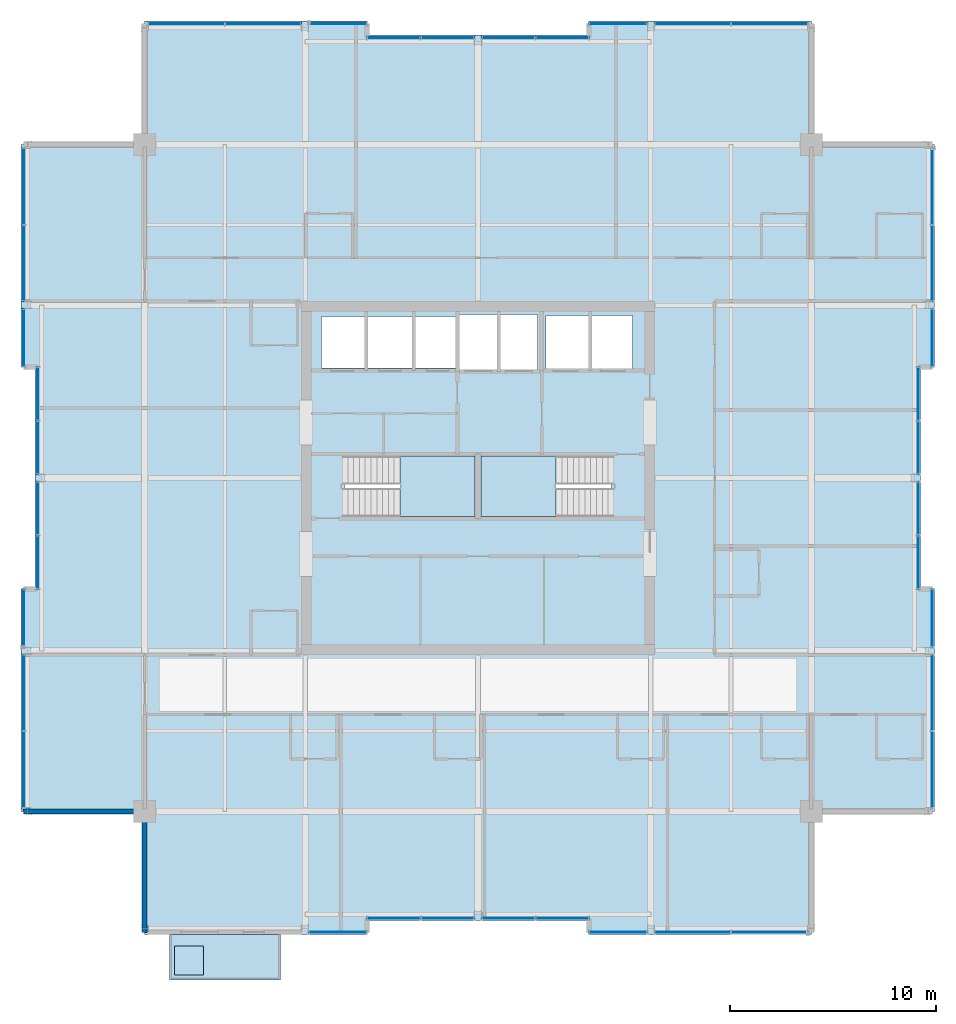
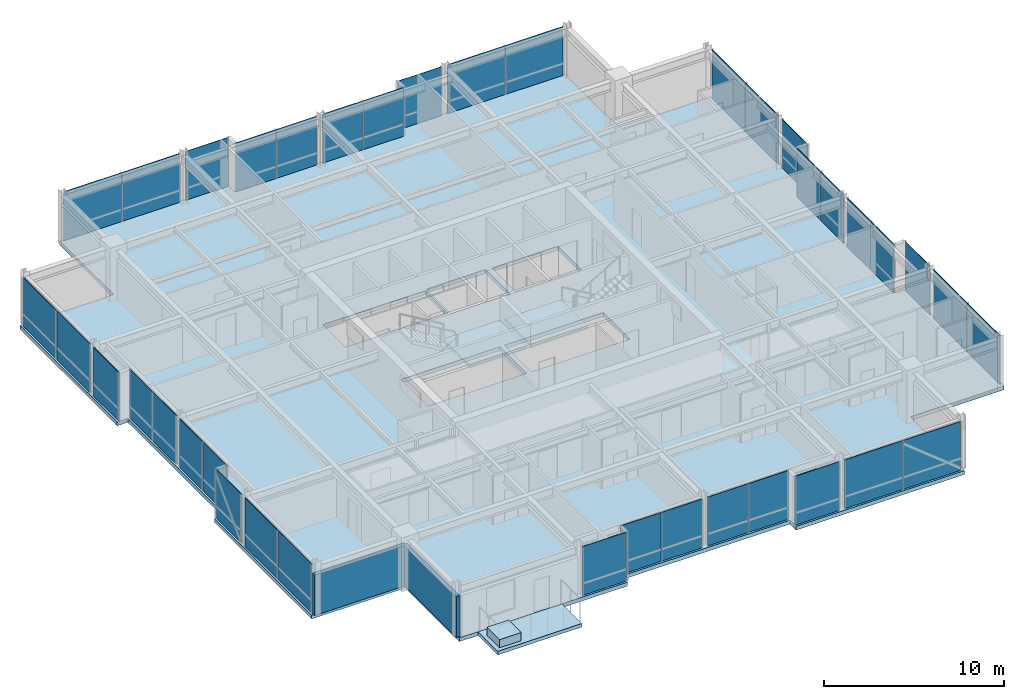
# One storey, part 27 of 34: 38 plates, 5 slabs, 2 walls, 25 elements without a shape of their own.
"""IFC4 building model written with IfcOpenShell, lengths in metres."""

from ifc_helpers import new_model, si_unit, direction, frame, frame_2d, origin, origin_2d, place, context, subcontext, project, spatial, polyline, rectangle, outline, extrude, material, layer, layer_set, type_object, element, aggregate, save


model = new_model("IFC4")

# Units and contexts
model_context = context("Model", 3, precision=1e-05, world=origin(), true_north=direction((0.0, 1.0)))
body_context = subcontext(model_context, "Body", "Model", "MODEL_VIEW")
ifc_project = project(units=[si_unit("LENGTHUNIT", "METRE"), si_unit("AREAUNIT", "SQUARE_METRE"), si_unit("VOLUMEUNIT", "CUBIC_METRE"), si_unit("PLANEANGLEUNIT", "RADIAN"), si_unit("MASSUNIT", "GRAM", prefix="KILO")], contexts=[model_context])

# Site, building, storey
site_placement = place(None, origin())
site = spatial("IfcSite", under=ifc_project, at=site_placement, CompositionType="ELEMENT")
building_placement = place(site_placement, origin())
building = spatial("IfcBuilding", under=site, at=building_placement, Name="Drelvath Grand Hotel", CompositionType="ELEMENT")
storey_placement = place(building_placement, frame((0.0, 0.0, 290.550048828125)))
storey = spatial("IfcBuildingStorey", under=building, at=storey_placement, Name="L76", CompositionType="ELEMENT", Elevation=290.550048828125)

# Slabs
ifc_material_1 = material(Name="Concrete f'c 40 MPa", Category="concrete")
ifc_layer_1 = layer(ifc_material_1, 0.239990234375)
ifc_layer_set_1 = layer_set([ifc_layer_1], Name="Concrete f'c 40 MPa")
slab_type_1 = type_object("IfcSlabType", Name="Cantilevered Tree Balcony Slab 240", PredefinedType="FLOOR", material=ifc_layer_set_1)
slab_1_placement = place(storey_placement, frame((0.0, 0.0, -0.239990234375)))
element("IfcSlab", 1, at=slab_1_placement, inside=storey, type_object=slab_type_1, Name="L76 Cantilevered Tree Balcony Slab 1", PredefinedType="FLOOR", context=body_context, shape_type="SweptSolid", body=[
    extrude(outline(polyline([(-15.0, 2.60009765625), (-9.60009765625, 2.60009765625), (-9.60009765625, 4.800048828125), (-15.0, 4.800048828125), (-15.0, 2.60009765625)])), origin(), (0.0, 0.0, 1.0), 0.239990234375),
])
ifc_layer_2 = layer(ifc_material_1, 0.260009765625)
ifc_layer_set_2 = layer_set([ifc_layer_2], Name="Concrete f'c 40 MPa")
slab_type_2 = type_object("IfcSlabType", Name="Composite RC Floor Slab 260", PredefinedType="FLOOR", material=ifc_layer_set_2)
slab_2_placement = place(storey_placement, frame((0.0, 0.0, -0.260009765625)))
element("IfcSlab", 2, at=slab_2_placement, inside=storey, type_object=slab_type_2, Name="L76 Structural Floor Slab", PredefinedType="FLOOR", context=body_context, shape_type="SweptSolid", body=[
    extrude(outline(polyline([(-16.199951171875, 4.800048828125), (-5.39990234375, 4.800048828125), (-5.39990234375, 5.47998046875), (5.39990234375, 5.47998046875), (5.39990234375, 4.800048828125), (16.199951171875, 4.800048828125), (16.199951171875, 10.800048828125), (22.199951171875, 10.800048828125), (22.199951171875, 21.60009765625), (21.52001953125, 21.60009765625), (21.52001953125, 32.39990234375), (22.199951171875, 32.39990234375), (22.199951171875, 43.199951171875), (16.199951171875, 43.199951171875), (16.199951171875, 49.199951171875), (5.39990234375, 49.199951171875), (5.39990234375, 48.52001953125), (-5.39990234375, 48.52001953125), (-5.39990234375, 49.199951171875), (-16.199951171875, 49.199951171875), (-16.199951171875, 43.199951171875), (-22.199951171875, 43.199951171875), (-22.199951171875, 32.39990234375), (-21.52001953125, 32.39990234375), (-21.52001953125, 21.60009765625), (-22.199951171875, 21.60009765625), (-22.199951171875, 10.800048828125), (-16.199951171875, 10.800048828125), (-16.199951171875, 4.800048828125)]), holes=[polyline([(-6.47998046875, 25.1201171875), (-6.47998046875, 28.080078125), (-0.14990234375, 28.080078125), (-0.14990234375, 25.1201171875), (-6.47998046875, 25.1201171875)]), polyline([(0.14990234375, 25.1201171875), (0.14990234375, 28.080078125), (6.47998046875, 28.080078125), (6.47998046875, 25.1201171875), (0.14990234375, 25.1201171875)]), polyline([(-7.60009765625, 32.35009765625), (-7.60009765625, 34.85009765625), (-1.02001953125, 34.85009765625), (-1.02001953125, 32.35009765625), (-7.60009765625, 32.35009765625)]), polyline([(-0.89990234375, 32.25), (-0.89990234375, 34.949951171875), (2.89990234375, 34.949951171875), (2.89990234375, 32.25), (-0.89990234375, 32.25)]), polyline([(3.300048828125, 32.300048828125), (3.300048828125, 34.89990234375), (7.5, 34.89990234375), (7.5, 32.300048828125), (3.300048828125, 32.300048828125)])]), origin(), (0.0, 0.0, 1.0), 0.260009765625),
])

# Stair, slab
ifc_material_2 = material(Name="Concrete C40/50", Category="concrete")
stair_type = type_object("IfcStairType", Name="Dogleg Exit Stair W1400-R165.9", PredefinedType="HALF_TURN_STAIR", material=ifc_material_2)
stair_1_placement = place(storey_placement, origin())
stair_1 = element("IfcStair", 3, at=stair_1_placement, inside=storey, type_object=stair_type, Name="L76 Core Exit Stair ST-1", PredefinedType="HALF_TURN_STAIR")
ifc_layer_3 = layer(ifc_material_2, 0.199951171875)
ifc_layer_set_3 = layer_set([ifc_layer_3], Name="Concrete C40/50")
slab_type_3 = type_object("IfcSlabType", Name="Concrete Stair Landing Slab 200", PredefinedType="LANDING", material=ifc_layer_set_3)
slab_3_placement = place(storey_placement, frame((0.0, 0.0, 1.625)))
slab_3 = element("IfcSlab", 4, at=slab_3_placement, type_object=slab_type_3, Name="ST-1 landing 1", PredefinedType="LANDING", context=body_context, shape_type="SweptSolid", body=[
    extrude(outline(polyline([(-3.800048828125, 25.1201171875), (-0.14990234375, 25.1201171875), (-0.14990234375, 28.080078125), (-3.800048828125, 28.080078125), (-3.800048828125, 25.1201171875)])), origin(), (0.0, 0.0, 1.0), 0.199951171875),
])
aggregate(stair_1, [slab_3])

stair_2_placement = place(storey_placement, origin())
stair_2 = element("IfcStair", 5, at=stair_2_placement, inside=storey, type_object=stair_type, Name="L76 Core Exit Stair ST-2", PredefinedType="HALF_TURN_STAIR")
slab_4_placement = place(storey_placement, frame((0.0, 0.0, 1.625)))
slab_4 = element("IfcSlab", 6, at=slab_4_placement, type_object=slab_type_3, Name="ST-2 landing 1", PredefinedType="LANDING", context=body_context, shape_type="SweptSolid", body=[
    extrude(outline(polyline([(3.800048828125, 28.080078125), (0.14990234375, 28.080078125), (0.14990234375, 25.1201171875), (3.800048828125, 25.1201171875), (3.800048828125, 28.080078125)])), origin(), (0.0, 0.0, 1.0), 0.199951171875),
])
aggregate(stair_2, [slab_4])

# Curtain wall, plates
ifc_material_3 = material(Name="Platinum-Mist Anodised Aluminium Frame", Category="aluminium")
ifc_layer_4 = layer(ifc_material_3, 0.199951171875)
ifc_layer_set_4 = layer_set([ifc_layer_4], Name="Platinum-Mist Anodised Aluminium Frame")
curtain_wall_type = type_object("IfcCurtainWallType", Name="Stick Curtain Wall CW-05 Platinum Mist High-Rise", PredefinedType="NOTDEFINED", material=ifc_layer_set_4)
curtain_wall_1_placement = place(storey_placement, origin())
curtain_wall_1 = element("IfcCurtainWall", 7, at=curtain_wall_1_placement, inside=storey, type_object=curtain_wall_type, Name="L76 CW-05 Curtain Wall CW05-L76-WS1", PredefinedType="NOTDEFINED")
ifc_material_4 = material(Name="Low-E Triple Silver High-Altitude Glass", Category="glass")
ifc_layer_5 = layer(ifc_material_4, 0.035888671875)
ifc_layer_set_5 = layer_set([ifc_layer_5], Name="Low-E Triple Silver High-Altitude Glass")
plate_type = type_object("IfcPlateType", Name="Curtain Wall Vision Panel CW-05 36mm", PredefinedType="CURTAIN_PANEL", material=ifc_layer_set_5)
plate_1_placement = place(storey_placement, frame((-22.080078125, 12.835205078125, 0.02001953125), z_axis=(0.0, 0.0, 1.0), x_axis=(0.0, 1.0, 0.0)))
plate_1 = element("IfcPlate", 8, at=plate_1_placement, type_object=plate_type, Name="CW05-L76-WS1 Glazed Panel 1", PredefinedType="CURTAIN_PANEL", context=body_context, shape_type="SweptSolid", body=[
    extrude(rectangle(XDim=3.68994140625, YDim=0.035888671875, at=origin_2d()), origin(), (0.0, 0.0, 1.0), 3.31005859375),
])
plate_2_placement = place(storey_placement, frame((-22.080078125, 16.56494140625, 0.02001953125), z_axis=(0.0, 0.0, 1.0), x_axis=(0.0, 1.0, 0.0)))
plate_2 = element("IfcPlate", 9, at=plate_2_placement, type_object=plate_type, Name="CW05-L76-WS1 Glazed Panel 2", PredefinedType="CURTAIN_PANEL", context=body_context, shape_type="SweptSolid", body=[
    extrude(rectangle(XDim=3.68994140625, YDim=0.035888671875, at=origin_2d()), origin(), (0.0, 0.0, 1.0), 3.31005859375),
])
aggregate(curtain_wall_1, [plate_1, plate_2])

# Curtain wall, plate
curtain_wall_2_placement = place(storey_placement, origin())
curtain_wall_2 = element("IfcCurtainWall", 10, at=curtain_wall_2_placement, inside=storey, type_object=curtain_wall_type, Name="L76 CW-05 Curtain Wall CW05-L76-WS2", PredefinedType="NOTDEFINED")
plate_3_placement = place(storey_placement, frame((-22.080078125, 20.18505859375, 0.02001953125), z_axis=(0.0, 0.0, 1.0), x_axis=(0.0, 1.0, 0.0)))
plate_3 = element("IfcPlate", 11, at=plate_3_placement, type_object=plate_type, Name="CW05-L76-WS2 Glazed Panel 1", PredefinedType="CURTAIN_PANEL", context=body_context, shape_type="SweptSolid", body=[
    extrude(rectangle(XDim=2.789794921875, YDim=0.035888671875, at=origin_2d()), origin(), (0.0, 0.0, 1.0), 3.31005859375),
])
aggregate(curtain_wall_2, [plate_3])

# Curtain wall, plates
curtain_wall_3_placement = place(storey_placement, origin())
curtain_wall_3 = element("IfcCurtainWall", 12, at=curtain_wall_3_placement, inside=storey, type_object=curtain_wall_type, Name="L76 CW-05 Curtain Wall CW05-L76-WM1", PredefinedType="NOTDEFINED")
plate_4_placement = place(storey_placement, frame((-21.39990234375, 22.907470703125, 0.02001953125), z_axis=(0.0, 0.0, 1.0), x_axis=(0.0, 1.0, 0.0)))
plate_4 = element("IfcPlate", 13, at=plate_4_placement, type_object=plate_type, Name="CW05-L76-WM1 Glazed Panel 1", PredefinedType="CURTAIN_PANEL", context=body_context, shape_type="SweptSolid", body=[
    extrude(rectangle(XDim=2.574951171875, YDim=0.035888671875, at=origin_2d()), origin(), (0.0, 0.0, 1.0), 3.31005859375),
])
plate_5_placement = place(storey_placement, frame((-21.39990234375, 25.5224609375, 0.02001953125), z_axis=(0.0, 0.0, 1.0), x_axis=(0.0, 1.0, 0.0)))
plate_5 = element("IfcPlate", 14, at=plate_5_placement, type_object=plate_type, Name="CW05-L76-WM1 Glazed Panel 2", PredefinedType="CURTAIN_PANEL", context=body_context, shape_type="SweptSolid", body=[
    extrude(rectangle(XDim=2.574951171875, YDim=0.035888671875, at=origin_2d()), origin(), (0.0, 0.0, 1.0), 3.31005859375),
])
aggregate(curtain_wall_3, [plate_4, plate_5])

curtain_wall_4_placement = place(storey_placement, origin())
curtain_wall_4 = element("IfcCurtainWall", 15, at=curtain_wall_4_placement, inside=storey, type_object=curtain_wall_type, Name="L76 CW-05 Curtain Wall CW05-L76-WM2", PredefinedType="NOTDEFINED")
plate_6_placement = place(storey_placement, frame((-21.39990234375, 28.4775390625, 0.02001953125), z_axis=(0.0, 0.0, 1.0), x_axis=(0.0, 1.0, 0.0)))
plate_6 = element("IfcPlate", 16, at=plate_6_placement, type_object=plate_type, Name="CW05-L76-WM2 Glazed Panel 1", PredefinedType="CURTAIN_PANEL", context=body_context, shape_type="SweptSolid", body=[
    extrude(rectangle(XDim=2.574951171875, YDim=0.035888671875, at=origin_2d()), origin(), (0.0, 0.0, 1.0), 3.31005859375),
])
plate_7_placement = place(storey_placement, frame((-21.39990234375, 31.092529296875, 0.02001953125), z_axis=(0.0, 0.0, 1.0), x_axis=(0.0, 1.0, 0.0)))
plate_7 = element("IfcPlate", 17, at=plate_7_placement, type_object=plate_type, Name="CW05-L76-WM2 Glazed Panel 2", PredefinedType="CURTAIN_PANEL", context=body_context, shape_type="SweptSolid", body=[
    extrude(rectangle(XDim=2.574951171875, YDim=0.035888671875, at=origin_2d()), origin(), (0.0, 0.0, 1.0), 3.31005859375),
])
aggregate(curtain_wall_4, [plate_6, plate_7])

# Curtain wall, plate
curtain_wall_5_placement = place(storey_placement, origin())
curtain_wall_5 = element("IfcCurtainWall", 18, at=curtain_wall_5_placement, inside=storey, type_object=curtain_wall_type, Name="L76 CW-05 Curtain Wall CW05-L76-WN1", PredefinedType="NOTDEFINED")
plate_8_placement = place(storey_placement, frame((-22.080078125, 33.81494140625, 0.02001953125), z_axis=(0.0, 0.0, 1.0), x_axis=(0.0, 1.0, 0.0)))
plate_8 = element("IfcPlate", 19, at=plate_8_placement, type_object=plate_type, Name="CW05-L76-WN1 Glazed Panel 1", PredefinedType="CURTAIN_PANEL", context=body_context, shape_type="SweptSolid", body=[
    extrude(rectangle(XDim=2.7900390625, YDim=0.035888671875, at=origin_2d()), origin(), (0.0, 0.0, 1.0), 3.31005859375),
])
aggregate(curtain_wall_5, [plate_8])

# Curtain wall, plates
curtain_wall_6_placement = place(storey_placement, origin())
curtain_wall_6 = element("IfcCurtainWall", 20, at=curtain_wall_6_placement, inside=storey, type_object=curtain_wall_type, Name="L76 CW-05 Curtain Wall CW05-L76-WN2", PredefinedType="NOTDEFINED")
plate_9_placement = place(storey_placement, frame((-22.080078125, 37.43505859375, 0.02001953125), z_axis=(0.0, 0.0, 1.0), x_axis=(0.0, 1.0, 0.0)))
plate_9 = element("IfcPlate", 21, at=plate_9_placement, type_object=plate_type, Name="CW05-L76-WN2 Glazed Panel 1", PredefinedType="CURTAIN_PANEL", context=body_context, shape_type="SweptSolid", body=[
    extrude(rectangle(XDim=3.68994140625, YDim=0.035888671875, at=origin_2d()), origin(), (0.0, 0.0, 1.0), 3.31005859375),
])
plate_10_placement = place(storey_placement, frame((-22.080078125, 41.1650390625, 0.02001953125), z_axis=(0.0, 0.0, 1.0), x_axis=(0.0, 1.0, 0.0)))
plate_10 = element("IfcPlate", 22, at=plate_10_placement, type_object=plate_type, Name="CW05-L76-WN2 Glazed Panel 2", PredefinedType="CURTAIN_PANEL", context=body_context, shape_type="SweptSolid", body=[
    extrude(rectangle(XDim=3.68994140625, YDim=0.035888671875, at=origin_2d()), origin(), (0.0, 0.0, 1.0), 3.31005859375),
])
aggregate(curtain_wall_6, [plate_9, plate_10])

# Curtain wall, plate
curtain_wall_7_placement = place(storey_placement, origin())
curtain_wall_7 = element("IfcCurtainWall", 23, at=curtain_wall_7_placement, inside=storey, type_object=curtain_wall_type, Name="L76 CW-05 Curtain Wall CW05-L76-EN1", PredefinedType="NOTDEFINED")
plate_11_placement = place(storey_placement, frame((22.080078125, 33.81494140625, 0.02001953125), z_axis=(0.0, 0.0, 1.0), x_axis=(0.0, -1.0, 0.0)))
plate_11 = element("IfcPlate", 24, at=plate_11_placement, type_object=plate_type, Name="CW05-L76-EN1 Glazed Panel 1", PredefinedType="CURTAIN_PANEL", context=body_context, shape_type="SweptSolid", body=[
    extrude(rectangle(XDim=2.7900390625, YDim=0.035888671875, at=origin_2d()), origin(), (0.0, 0.0, 1.0), 3.31005859375),
])
aggregate(curtain_wall_7, [plate_11])

# Curtain wall, plates
curtain_wall_8_placement = place(storey_placement, origin())
curtain_wall_8 = element("IfcCurtainWall", 25, at=curtain_wall_8_placement, inside=storey, type_object=curtain_wall_type, Name="L76 CW-05 Curtain Wall CW05-L76-EN2", PredefinedType="NOTDEFINED")
plate_12_placement = place(storey_placement, frame((22.080078125, 41.1650390625, 0.02001953125), z_axis=(0.0, 0.0, 1.0), x_axis=(0.0, -1.0, 0.0)))
plate_12 = element("IfcPlate", 26, at=plate_12_placement, type_object=plate_type, Name="CW05-L76-EN2 Glazed Panel 1", PredefinedType="CURTAIN_PANEL", context=body_context, shape_type="SweptSolid", body=[
    extrude(rectangle(XDim=3.68994140625, YDim=0.035888671875, at=origin_2d()), origin(), (0.0, 0.0, 1.0), 3.31005859375),
])
plate_13_placement = place(storey_placement, frame((22.080078125, 37.43505859375, 0.02001953125), z_axis=(0.0, 0.0, 1.0), x_axis=(0.0, -1.0, 0.0)))
plate_13 = element("IfcPlate", 27, at=plate_13_placement, type_object=plate_type, Name="CW05-L76-EN2 Glazed Panel 2", PredefinedType="CURTAIN_PANEL", context=body_context, shape_type="SweptSolid", body=[
    extrude(rectangle(XDim=3.68994140625, YDim=0.035888671875, at=origin_2d()), origin(), (0.0, 0.0, 1.0), 3.31005859375),
])
aggregate(curtain_wall_8, [plate_12, plate_13])

curtain_wall_9_placement = place(storey_placement, origin())
curtain_wall_9 = element("IfcCurtainWall", 28, at=curtain_wall_9_placement, inside=storey, type_object=curtain_wall_type, Name="L76 CW-05 Curtain Wall CW05-L76-EM1", PredefinedType="NOTDEFINED")
plate_14_placement = place(storey_placement, frame((21.39990234375, 25.5224609375, 0.02001953125), z_axis=(0.0, 0.0, 1.0), x_axis=(0.0, -1.0, 0.0)))
plate_14 = element("IfcPlate", 29, at=plate_14_placement, type_object=plate_type, Name="CW05-L76-EM1 Glazed Panel 1", PredefinedType="CURTAIN_PANEL", context=body_context, shape_type="SweptSolid", body=[
    extrude(rectangle(XDim=2.574951171875, YDim=0.035888671875, at=origin_2d()), origin(), (0.0, 0.0, 1.0), 3.31005859375),
])
plate_15_placement = place(storey_placement, frame((21.39990234375, 22.907470703125, 0.02001953125), z_axis=(0.0, 0.0, 1.0), x_axis=(0.0, -1.0, 0.0)))
plate_15 = element("IfcPlate", 30, at=plate_15_placement, type_object=plate_type, Name="CW05-L76-EM1 Glazed Panel 2", PredefinedType="CURTAIN_PANEL", context=body_context, shape_type="SweptSolid", body=[
    extrude(rectangle(XDim=2.574951171875, YDim=0.035888671875, at=origin_2d()), origin(), (0.0, 0.0, 1.0), 3.31005859375),
])
aggregate(curtain_wall_9, [plate_14, plate_15])

curtain_wall_10_placement = place(storey_placement, origin())
curtain_wall_10 = element("IfcCurtainWall", 31, at=curtain_wall_10_placement, inside=storey, type_object=curtain_wall_type, Name="L76 CW-05 Curtain Wall CW05-L76-EM2", PredefinedType="NOTDEFINED")
plate_16_placement = place(storey_placement, frame((21.39990234375, 31.092529296875, 0.02001953125), z_axis=(0.0, 0.0, 1.0), x_axis=(0.0, -1.0, 0.0)))
plate_16 = element("IfcPlate", 32, at=plate_16_placement, type_object=plate_type, Name="CW05-L76-EM2 Glazed Panel 1", PredefinedType="CURTAIN_PANEL", context=body_context, shape_type="SweptSolid", body=[
    extrude(rectangle(XDim=2.574951171875, YDim=0.035888671875, at=origin_2d()), origin(), (0.0, 0.0, 1.0), 3.31005859375),
])
plate_17_placement = place(storey_placement, frame((21.39990234375, 28.4775390625, 0.02001953125), z_axis=(0.0, 0.0, 1.0), x_axis=(0.0, -1.0, 0.0)))
plate_17 = element("IfcPlate", 33, at=plate_17_placement, type_object=plate_type, Name="CW05-L76-EM2 Glazed Panel 2", PredefinedType="CURTAIN_PANEL", context=body_context, shape_type="SweptSolid", body=[
    extrude(rectangle(XDim=2.574951171875, YDim=0.035888671875, at=origin_2d()), origin(), (0.0, 0.0, 1.0), 3.31005859375),
])
aggregate(curtain_wall_10, [plate_16, plate_17])

curtain_wall_11_placement = place(storey_placement, origin())
curtain_wall_11 = element("IfcCurtainWall", 34, at=curtain_wall_11_placement, inside=storey, type_object=curtain_wall_type, Name="L76 CW-05 Curtain Wall CW05-L76-ES1", PredefinedType="NOTDEFINED")
plate_18_placement = place(storey_placement, frame((22.080078125, 16.56494140625, 0.02001953125), z_axis=(0.0, 0.0, 1.0), x_axis=(0.0, -1.0, 0.0)))
plate_18 = element("IfcPlate", 35, at=plate_18_placement, type_object=plate_type, Name="CW05-L76-ES1 Glazed Panel 1", PredefinedType="CURTAIN_PANEL", context=body_context, shape_type="SweptSolid", body=[
    extrude(rectangle(XDim=3.68994140625, YDim=0.035888671875, at=origin_2d()), origin(), (0.0, 0.0, 1.0), 3.31005859375),
])
plate_19_placement = place(storey_placement, frame((22.080078125, 12.835205078125, 0.02001953125), z_axis=(0.0, 0.0, 1.0), x_axis=(0.0, -1.0, 0.0)))
plate_19 = element("IfcPlate", 36, at=plate_19_placement, type_object=plate_type, Name="CW05-L76-ES1 Glazed Panel 2", PredefinedType="CURTAIN_PANEL", context=body_context, shape_type="SweptSolid", body=[
    extrude(rectangle(XDim=3.68994140625, YDim=0.035888671875, at=origin_2d()), origin(), (0.0, 0.0, 1.0), 3.31005859375),
])
aggregate(curtain_wall_11, [plate_18, plate_19])

# Curtain wall, plate
curtain_wall_12_placement = place(storey_placement, origin())
curtain_wall_12 = element("IfcCurtainWall", 37, at=curtain_wall_12_placement, inside=storey, type_object=curtain_wall_type, Name="L76 CW-05 Curtain Wall CW05-L76-ES2", PredefinedType="NOTDEFINED")
plate_20_placement = place(storey_placement, frame((22.080078125, 20.18505859375, 0.02001953125), z_axis=(0.0, 0.0, 1.0), x_axis=(0.0, -1.0, 0.0)))
plate_20 = element("IfcPlate", 38, at=plate_20_placement, type_object=plate_type, Name="CW05-L76-ES2 Glazed Panel 1", PredefinedType="CURTAIN_PANEL", context=body_context, shape_type="SweptSolid", body=[
    extrude(rectangle(XDim=2.789794921875, YDim=0.035888671875, at=origin_2d()), origin(), (0.0, 0.0, 1.0), 3.31005859375),
])
aggregate(curtain_wall_12, [plate_20])

# Curtain wall, plates
curtain_wall_13_placement = place(storey_placement, origin())
curtain_wall_13 = element("IfcCurtainWall", 39, at=curtain_wall_13_placement, inside=storey, type_object=curtain_wall_type, Name="L76 CW-05 Curtain Wall CW05-L76-NW1", PredefinedType="NOTDEFINED")
plate_21_placement = place(storey_placement, frame((-14.1650390625, 49.080078125, 0.02001953125), z_axis=(0.0, 0.0, 1.0), x_axis=(1.0, 0.0, 0.0)))
plate_21 = element("IfcPlate", 40, at=plate_21_placement, type_object=plate_type, Name="CW05-L76-NW1 Glazed Panel 1", PredefinedType="CURTAIN_PANEL", context=body_context, shape_type="SweptSolid", body=[
    extrude(rectangle(XDim=3.68994140625, YDim=0.035888671875, at=origin_2d()), origin(), (0.0, 0.0, 1.0), 3.31005859375),
])
plate_22_placement = place(storey_placement, frame((-10.43505859375, 49.080078125, 0.02001953125), z_axis=(0.0, 0.0, 1.0), x_axis=(1.0, 0.0, 0.0)))
plate_22 = element("IfcPlate", 41, at=plate_22_placement, type_object=plate_type, Name="CW05-L76-NW1 Glazed Panel 2", PredefinedType="CURTAIN_PANEL", context=body_context, shape_type="SweptSolid", body=[
    extrude(rectangle(XDim=3.68994140625, YDim=0.035888671875, at=origin_2d()), origin(), (0.0, 0.0, 1.0), 3.31005859375),
])
aggregate(curtain_wall_13, [plate_21, plate_22])

# Curtain wall, plate
curtain_wall_14_placement = place(storey_placement, origin())
curtain_wall_14 = element("IfcCurtainWall", 42, at=curtain_wall_14_placement, inside=storey, type_object=curtain_wall_type, Name="L76 CW-05 Curtain Wall CW05-L76-NW2", PredefinedType="NOTDEFINED")
plate_23_placement = place(storey_placement, frame((-6.81494140625, 49.080078125, 0.02001953125), z_axis=(0.0, 0.0, 1.0), x_axis=(1.0, 0.0, 0.0)))
plate_23 = element("IfcPlate", 43, at=plate_23_placement, type_object=plate_type, Name="CW05-L76-NW2 Glazed Panel 1", PredefinedType="CURTAIN_PANEL", context=body_context, shape_type="SweptSolid", body=[
    extrude(rectangle(XDim=2.789794921875, YDim=0.035888671875, at=origin_2d()), origin(), (0.0, 0.0, 1.0), 3.31005859375),
])
aggregate(curtain_wall_14, [plate_23])

# Curtain wall, plates
curtain_wall_15_placement = place(storey_placement, origin())
curtain_wall_15 = element("IfcCurtainWall", 44, at=curtain_wall_15_placement, inside=storey, type_object=curtain_wall_type, Name="L76 CW-05 Curtain Wall CW05-L76-NM1", PredefinedType="NOTDEFINED")
plate_24_placement = place(storey_placement, frame((-4.092529296875, 48.39990234375, 0.02001953125), z_axis=(0.0, 0.0, 1.0), x_axis=(1.0, 0.0, 0.0)))
plate_24 = element("IfcPlate", 45, at=plate_24_placement, type_object=plate_type, Name="CW05-L76-NM1 Glazed Panel 1", PredefinedType="CURTAIN_PANEL", context=body_context, shape_type="SweptSolid", body=[
    extrude(rectangle(XDim=2.574951171875, YDim=0.035888671875, at=origin_2d()), origin(), (0.0, 0.0, 1.0), 3.31005859375),
])
plate_25_placement = place(storey_placement, frame((-1.4775390625, 48.39990234375, 0.02001953125), z_axis=(0.0, 0.0, 1.0), x_axis=(1.0, 0.0, 0.0)))
plate_25 = element("IfcPlate", 46, at=plate_25_placement, type_object=plate_type, Name="CW05-L76-NM1 Glazed Panel 2", PredefinedType="CURTAIN_PANEL", context=body_context, shape_type="SweptSolid", body=[
    extrude(rectangle(XDim=2.574951171875, YDim=0.035888671875, at=origin_2d()), origin(), (0.0, 0.0, 1.0), 3.31005859375),
])
aggregate(curtain_wall_15, [plate_24, plate_25])

curtain_wall_16_placement = place(storey_placement, origin())
curtain_wall_16 = element("IfcCurtainWall", 47, at=curtain_wall_16_placement, inside=storey, type_object=curtain_wall_type, Name="L76 CW-05 Curtain Wall CW05-L76-NM2", PredefinedType="NOTDEFINED")
plate_26_placement = place(storey_placement, frame((1.4775390625, 48.39990234375, 0.02001953125), z_axis=(0.0, 0.0, 1.0), x_axis=(1.0, 0.0, 0.0)))
plate_26 = element("IfcPlate", 48, at=plate_26_placement, type_object=plate_type, Name="CW05-L76-NM2 Glazed Panel 1", PredefinedType="CURTAIN_PANEL", context=body_context, shape_type="SweptSolid", body=[
    extrude(rectangle(XDim=2.574951171875, YDim=0.035888671875, at=origin_2d()), origin(), (0.0, 0.0, 1.0), 3.31005859375),
])
plate_27_placement = place(storey_placement, frame((4.092529296875, 48.39990234375, 0.02001953125), z_axis=(0.0, 0.0, 1.0), x_axis=(1.0, 0.0, 0.0)))
plate_27 = element("IfcPlate", 49, at=plate_27_placement, type_object=plate_type, Name="CW05-L76-NM2 Glazed Panel 2", PredefinedType="CURTAIN_PANEL", context=body_context, shape_type="SweptSolid", body=[
    extrude(rectangle(XDim=2.574951171875, YDim=0.035888671875, at=origin_2d()), origin(), (0.0, 0.0, 1.0), 3.31005859375),
])
aggregate(curtain_wall_16, [plate_26, plate_27])

# Curtain wall, plate
curtain_wall_17_placement = place(storey_placement, origin())
curtain_wall_17 = element("IfcCurtainWall", 50, at=curtain_wall_17_placement, inside=storey, type_object=curtain_wall_type, Name="L76 CW-05 Curtain Wall CW05-L76-NE1", PredefinedType="NOTDEFINED")
plate_28_placement = place(storey_placement, frame((6.81494140625, 49.080078125, 0.02001953125), z_axis=(0.0, 0.0, 1.0), x_axis=(1.0, 0.0, 0.0)))
plate_28 = element("IfcPlate", 51, at=plate_28_placement, type_object=plate_type, Name="CW05-L76-NE1 Glazed Panel 1", PredefinedType="CURTAIN_PANEL", context=body_context, shape_type="SweptSolid", body=[
    extrude(rectangle(XDim=2.789794921875, YDim=0.035888671875, at=origin_2d()), origin(), (0.0, 0.0, 1.0), 3.31005859375),
])
aggregate(curtain_wall_17, [plate_28])

# Curtain wall, plates
curtain_wall_18_placement = place(storey_placement, origin())
curtain_wall_18 = element("IfcCurtainWall", 52, at=curtain_wall_18_placement, inside=storey, type_object=curtain_wall_type, Name="L76 CW-05 Curtain Wall CW05-L76-NE2", PredefinedType="NOTDEFINED")
plate_29_placement = place(storey_placement, frame((10.43505859375, 49.080078125, 0.02001953125), z_axis=(0.0, 0.0, 1.0), x_axis=(1.0, 0.0, 0.0)))
plate_29 = element("IfcPlate", 53, at=plate_29_placement, type_object=plate_type, Name="CW05-L76-NE2 Glazed Panel 1", PredefinedType="CURTAIN_PANEL", context=body_context, shape_type="SweptSolid", body=[
    extrude(rectangle(XDim=3.68994140625, YDim=0.035888671875, at=origin_2d()), origin(), (0.0, 0.0, 1.0), 3.31005859375),
])
plate_30_placement = place(storey_placement, frame((14.1650390625, 49.080078125, 0.02001953125), z_axis=(0.0, 0.0, 1.0), x_axis=(1.0, 0.0, 0.0)))
plate_30 = element("IfcPlate", 54, at=plate_30_placement, type_object=plate_type, Name="CW05-L76-NE2 Glazed Panel 2", PredefinedType="CURTAIN_PANEL", context=body_context, shape_type="SweptSolid", body=[
    extrude(rectangle(XDim=3.68994140625, YDim=0.035888671875, at=origin_2d()), origin(), (0.0, 0.0, 1.0), 3.31005859375),
])
aggregate(curtain_wall_18, [plate_29, plate_30])

# Curtain wall, plate
curtain_wall_19_placement = place(storey_placement, origin())
curtain_wall_19 = element("IfcCurtainWall", 55, at=curtain_wall_19_placement, inside=storey, type_object=curtain_wall_type, Name="L76 CW-05 Curtain Wall CW05-L76-SE1", PredefinedType="NOTDEFINED")
plate_31_placement = place(storey_placement, frame((6.81494140625, 4.919921875, 0.02001953125), z_axis=(0.0, 0.0, 1.0), x_axis=(-1.0, 0.0, 0.0)))
plate_31 = element("IfcPlate", 56, at=plate_31_placement, type_object=plate_type, Name="CW05-L76-SE1 Glazed Panel 1", PredefinedType="CURTAIN_PANEL", context=body_context, shape_type="SweptSolid", body=[
    extrude(rectangle(XDim=2.789794921875, YDim=0.035888671875, at=origin_2d()), origin(), (0.0, 0.0, 1.0), 3.31005859375),
])
aggregate(curtain_wall_19, [plate_31])

# Curtain wall, plates
curtain_wall_20_placement = place(storey_placement, origin())
curtain_wall_20 = element("IfcCurtainWall", 57, at=curtain_wall_20_placement, inside=storey, type_object=curtain_wall_type, Name="L76 CW-05 Curtain Wall CW05-L76-SE2", PredefinedType="NOTDEFINED")
plate_32_placement = place(storey_placement, frame((14.1650390625, 4.919921875, 0.02001953125), z_axis=(0.0, 0.0, 1.0), x_axis=(-1.0, 0.0, 0.0)))
plate_32 = element("IfcPlate", 58, at=plate_32_placement, type_object=plate_type, Name="CW05-L76-SE2 Glazed Panel 1", PredefinedType="CURTAIN_PANEL", context=body_context, shape_type="SweptSolid", body=[
    extrude(rectangle(XDim=3.68994140625, YDim=0.035888671875, at=origin_2d()), origin(), (0.0, 0.0, 1.0), 3.31005859375),
])
plate_33_placement = place(storey_placement, frame((10.43505859375, 4.919921875, 0.02001953125), z_axis=(0.0, 0.0, 1.0), x_axis=(-1.0, 0.0, 0.0)))
plate_33 = element("IfcPlate", 59, at=plate_33_placement, type_object=plate_type, Name="CW05-L76-SE2 Glazed Panel 2", PredefinedType="CURTAIN_PANEL", context=body_context, shape_type="SweptSolid", body=[
    extrude(rectangle(XDim=3.68994140625, YDim=0.035888671875, at=origin_2d()), origin(), (0.0, 0.0, 1.0), 3.31005859375),
])
aggregate(curtain_wall_20, [plate_32, plate_33])

curtain_wall_21_placement = place(storey_placement, origin())
curtain_wall_21 = element("IfcCurtainWall", 60, at=curtain_wall_21_placement, inside=storey, type_object=curtain_wall_type, Name="L76 CW-05 Curtain Wall CW05-L76-SM1", PredefinedType="NOTDEFINED")
plate_34_placement = place(storey_placement, frame((-1.4775390625, 5.60009765625, 0.02001953125), z_axis=(0.0, 0.0, 1.0), x_axis=(-1.0, 0.0, 0.0)))
plate_34 = element("IfcPlate", 61, at=plate_34_placement, type_object=plate_type, Name="CW05-L76-SM1 Glazed Panel 1", PredefinedType="CURTAIN_PANEL", context=body_context, shape_type="SweptSolid", body=[
    extrude(rectangle(XDim=2.574951171875, YDim=0.035888671875, at=origin_2d()), origin(), (0.0, 0.0, 1.0), 3.31005859375),
])
plate_35_placement = place(storey_placement, frame((-4.092529296875, 5.60009765625, 0.02001953125), z_axis=(0.0, 0.0, 1.0), x_axis=(-1.0, 0.0, 0.0)))
plate_35 = element("IfcPlate", 62, at=plate_35_placement, type_object=plate_type, Name="CW05-L76-SM1 Glazed Panel 2", PredefinedType="CURTAIN_PANEL", context=body_context, shape_type="SweptSolid", body=[
    extrude(rectangle(XDim=2.574951171875, YDim=0.035888671875, at=origin_2d()), origin(), (0.0, 0.0, 1.0), 3.31005859375),
])
aggregate(curtain_wall_21, [plate_34, plate_35])

curtain_wall_22_placement = place(storey_placement, origin())
curtain_wall_22 = element("IfcCurtainWall", 63, at=curtain_wall_22_placement, inside=storey, type_object=curtain_wall_type, Name="L76 CW-05 Curtain Wall CW05-L76-SM2", PredefinedType="NOTDEFINED")
plate_36_placement = place(storey_placement, frame((4.092529296875, 5.60009765625, 0.02001953125), z_axis=(0.0, 0.0, 1.0), x_axis=(-1.0, 0.0, 0.0)))
plate_36 = element("IfcPlate", 64, at=plate_36_placement, type_object=plate_type, Name="CW05-L76-SM2 Glazed Panel 1", PredefinedType="CURTAIN_PANEL", context=body_context, shape_type="SweptSolid", body=[
    extrude(rectangle(XDim=2.574951171875, YDim=0.035888671875, at=origin_2d()), origin(), (0.0, 0.0, 1.0), 3.31005859375),
])
plate_37_placement = place(storey_placement, frame((1.4775390625, 5.60009765625, 0.02001953125), z_axis=(0.0, 0.0, 1.0), x_axis=(-1.0, 0.0, 0.0)))
plate_37 = element("IfcPlate", 65, at=plate_37_placement, type_object=plate_type, Name="CW05-L76-SM2 Glazed Panel 2", PredefinedType="CURTAIN_PANEL", context=body_context, shape_type="SweptSolid", body=[
    extrude(rectangle(XDim=2.574951171875, YDim=0.035888671875, at=origin_2d()), origin(), (0.0, 0.0, 1.0), 3.31005859375),
])
aggregate(curtain_wall_22, [plate_36, plate_37])

# Curtain wall, plate
curtain_wall_23_placement = place(storey_placement, origin())
curtain_wall_23 = element("IfcCurtainWall", 66, at=curtain_wall_23_placement, inside=storey, type_object=curtain_wall_type, Name="L76 CW-05 Curtain Wall CW05-L76-SW2", PredefinedType="NOTDEFINED")
plate_38_placement = place(storey_placement, frame((-6.81494140625, 4.919921875, 0.02001953125), z_axis=(0.0, 0.0, 1.0), x_axis=(-1.0, 0.0, 0.0)))
plate_38 = element("IfcPlate", 67, at=plate_38_placement, type_object=plate_type, Name="CW05-L76-SW2 Glazed Panel 1", PredefinedType="CURTAIN_PANEL", context=body_context, shape_type="SweptSolid", body=[
    extrude(rectangle(XDim=2.789794921875, YDim=0.035888671875, at=origin_2d()), origin(), (0.0, 0.0, 1.0), 3.31005859375),
])
aggregate(curtain_wall_23, [plate_38])

# Slab
ifc_layer_6 = layer(ifc_material_1, 0.550048828125)
ifc_layer_set_6 = layer_set([ifc_layer_6], Name="Concrete f'c 40 MPa")
slab_type_4 = type_object("IfcSlabType", Name="Structural Tree Planter Box 550", PredefinedType="USERDEFINED", material=ifc_layer_set_6)
slab_5_placement = place(storey_placement, origin())
element("IfcSlab", 68, at=slab_5_placement, inside=storey, type_object=slab_type_4, Name="L76 Tree Balcony Structural Planter 1", ObjectType="PLANTER", PredefinedType="USERDEFINED", context=body_context, shape_type="SweptSolid", body=[
    extrude(outline(polyline([(-14.75, 2.85009765625), (-13.35009765625, 2.85009765625), (-13.35009765625, 4.25), (-14.75, 4.25), (-14.75, 2.85009765625)])), origin(), (0.0, 0.0, 1.0), 0.550048828125),
])

# Walls
ifc_material_5 = material(Name="Pale-Metal Insulated Aluminium Spandrel Assembly", Category="aluminium")
ifc_layer_7 = layer(ifc_material_5, 0.239990234375)
ifc_layer_set_7 = layer_set([ifc_layer_7], Name="Pale-Metal Insulated Aluminium Spandrel Assembly")
wall_type = type_object("IfcWallType", Name="Tower Insulated Metal Spandrel Closure Wall 240", PredefinedType="STANDARD", material=ifc_layer_set_7)
for number, where, z_axis, x_axis, name in (
    (69, (-16.199951171875, 4.919921875, 0.0), (0.0, 0.0, 1.0), (0.0, 1.0, 0.0), "L76 Notched Corner Return Spandrel Wall CSW1"),
    (70, (-16.199951171875, 10.800048828125, 0.0), (0.0, 0.0, 1.0), (-1.0, 0.0, 0.0), "L76 Notched Corner Return Spandrel Wall CSW2"),
):
    element("IfcWall", number, at=place(storey_placement, frame(where, z_axis=z_axis, x_axis=x_axis)), inside=storey, type_object=wall_type, Name=name, PredefinedType="STANDARD", context=body_context, shape_type="SweptSolid", body=[
        extrude(rectangle(XDim=5.880126953125, YDim=0.239990234375, at=frame_2d((2.93994140625, 0.0))), origin(), (0.0, 0.0, 1.0), 2.73876953125),
    ])

save(model, "model.ifc")
